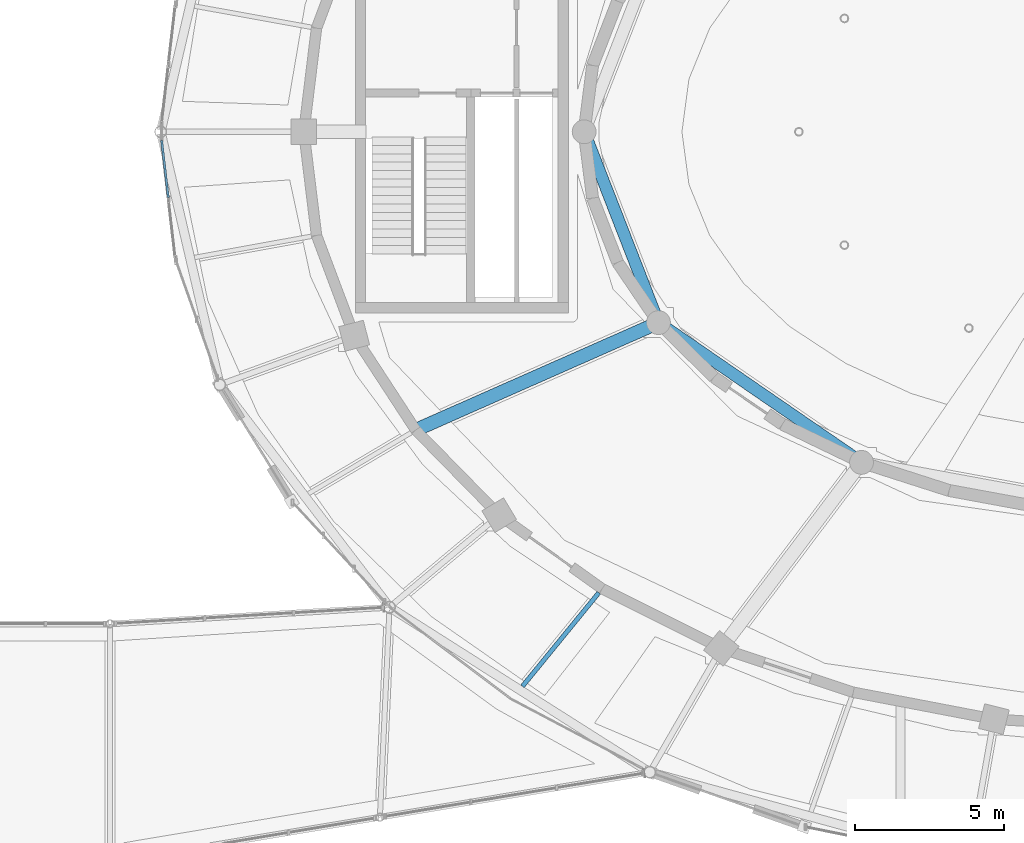
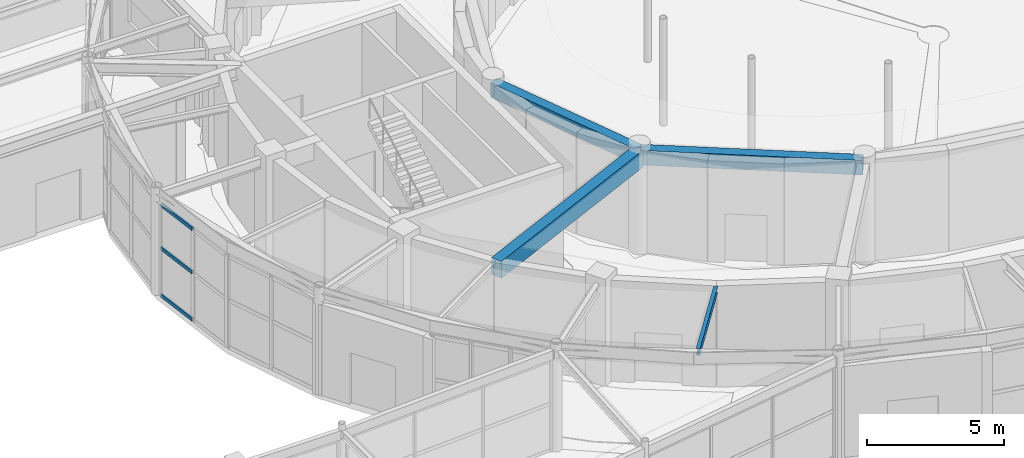
# One storey, part 31 of 108: 4 beams, 3 members, 1 element without a shape of its own.
"""IFC4 building model written with IfcOpenShell, lengths in metres."""

from ifc_helpers import new_model, si_unit, direction, frame, origin, origin_2d, place, context, subcontext, project, spatial, rectangle, hollow_rectangle, i_section, extrude, material, material_profile, profile_set, type_object, element, aggregate, save


model = new_model("IFC4")

# Units and contexts
model_context = context("Model", 3, precision=1e-05, world=origin(), true_north=direction((0.0, 1.0)))
body_context = subcontext(model_context, "Body", "Model", "MODEL_VIEW")
ifc_project = project(units=[si_unit("LENGTHUNIT", "METRE"), si_unit("AREAUNIT", "SQUARE_METRE"), si_unit("VOLUMEUNIT", "CUBIC_METRE"), si_unit("PLANEANGLEUNIT", "RADIAN"), si_unit("MASSUNIT", "GRAM", prefix="KILO")], contexts=[model_context])

# Site, building, storey
site_placement = place(None, origin())
site = spatial("IfcSite", under=ifc_project, at=site_placement, CompositionType="ELEMENT")
building_placement = place(site_placement, origin())
building = spatial("IfcBuilding", under=site, at=building_placement, Name="Tarnveldt Headland Concert Hall", CompositionType="ELEMENT")
storey_placement = place(building_placement, origin())
storey = spatial("IfcBuildingStorey", under=building, at=storey_placement, Name="L00", CompositionType="ELEMENT", Elevation=0.0)

# Beams
ifc_material_1 = material(Name="Concrete C40/50", Category="concrete")
ifc_material_profile_1 = material_profile(ifc_material_1, rectangle(XDim=0.39990234375, YDim=0.64990234375, at=origin_2d()), Name="RC 400x650", Category="concrete")
ifc_profile_set_1 = profile_set([ifc_material_profile_1], Name="Concrete C40/50")
beam_type_1 = type_object("IfcBeamType", Name="CB-400x650", PredefinedType="BEAM", material=ifc_profile_set_1)
beam_1_placement = place(storey_placement, frame((64.921875, 54.444091796875, 4.195068359375), z_axis=(0.362816377746, -0.931860652694, 0.0), x_axis=(0.931860652694, 0.362816377746, 0.0)))
element("IfcBeam", 1, at=beam_1_placement, inside=storey, type_object=beam_type_1, Name="Framing beam L00-413", PredefinedType="BEAM", context=body_context, shape_type="SweptSolid", body=[
    extrude(rectangle(XDim=0.39990234375, YDim=0.64990234375, at=origin_2d()), origin(), (0.0, 0.0, 1.0), 6.747802734375),
])
beam_2_placement = place(storey_placement, frame((67.44140625, 48.06591796875, 4.195068359375), z_axis=(0.823792567818, -0.566891352207, 0.0), x_axis=(0.566891352207, 0.823792567818, 0.0)))
element("IfcBeam", 2, at=beam_2_placement, inside=storey, type_object=beam_type_1, Name="Framing beam L00-415", PredefinedType="BEAM", context=body_context, shape_type="SweptSolid", body=[
    extrude(rectangle(XDim=0.39990234375, YDim=0.64990234375, at=origin_2d()), origin(), (0.0, 0.0, 1.0), 8.144287109375),
])
ifc_material_profile_2 = material_profile(ifc_material_1, rectangle(XDim=0.449951171875, YDim=0.75, at=origin_2d()), Name="RC 450x750", Category="concrete")
ifc_profile_set_2 = profile_set([ifc_material_profile_2], Name="Concrete C40/50")
beam_type_2 = type_object("IfcBeamType", Name="CB-450x750", PredefinedType="BEAM", material=ifc_profile_set_2)
beam_3_placement = place(storey_placement, frame((67.355224609375, 48.083740234375, 4.14501953125), z_axis=(-0.91456211397, -0.404445471839, 0.0), x_axis=(0.404445471839, -0.91456211397, 0.0)))
element("IfcBeam", 3, at=beam_3_placement, inside=storey, type_object=beam_type_2, Name="Framing beam L00-414", PredefinedType="BEAM", context=body_context, shape_type="SweptSolid", body=[
    extrude(rectangle(XDim=0.449951171875, YDim=0.75, at=origin_2d()), origin(), (0.0, 0.0, 1.0), 8.821044921875),
])
ifc_material_2 = material(Name="Steel S355", Category="steel")
ifc_material_profile_3 = material_profile(ifc_material_2, i_section(OverallWidth=0.14990234375, OverallDepth=0.300048828125, WebThickness=0.007080078125, FlangeThickness=0.0107421875, FilletRadius=0.014892578125, at=origin_2d()), Name="IPE300", Category="steel")
ifc_profile_set_3 = profile_set([ifc_material_profile_3], Name="Steel S355")
beam_type_3 = type_object("IfcBeamType", Name="SB-IPE300", PredefinedType="JOIST", material=ifc_profile_set_3)
beam_4_placement = place(storey_placement, frame((65.391357421875, 39.04345703125, 4.3701171875), z_axis=(-0.632291553532, -0.774730528205, 0.0), x_axis=(0.774730528205, -0.632291553532, 0.0)))
element("IfcBeam", 4, at=beam_4_placement, inside=storey, type_object=beam_type_3, Name="Framing beam L00-382", PredefinedType="JOIST", context=body_context, shape_type="SweptSolid", body=[
    extrude(i_section(OverallWidth=0.14990234375, OverallDepth=0.300048828125, WebThickness=0.007080078125, FlangeThickness=0.0107421875, FilletRadius=0.014892578125, at=origin_2d()), origin(), (0.0, 0.0, 1.0), 4.048583984375),
])

# Curtain wall, members
ifc_material_3 = material(Name="Marine-anodised aluminium EN AW-6063-T6", Category="aluminium")
curtain_wall_type = type_object("IfcCurtainWallType", Name="CW-F1", PredefinedType="NOTDEFINED", material=ifc_material_3)
curtain_wall_placement = place(storey_placement, origin())
curtain_wall = element("IfcCurtainWall", 5, at=curtain_wall_placement, inside=storey, type_object=curtain_wall_type, Name="Curtain wall CW-L00-015", PredefinedType="NOTDEFINED")
ifc_material_profile_4 = material_profile(ifc_material_3, hollow_rectangle(XDim=0.074951171875, YDim=0.159912109375, WallThickness=0.00390625, at=origin_2d()), Name="ALU TRANSOM 75x160x4", Category="aluminium")
ifc_profile_set_4 = profile_set([ifc_material_profile_4], Name="Marine-anodised aluminium EN AW-6063-T6")
member_type = type_object("IfcMemberType", Name="TR-160", PredefinedType="MEMBER", material=ifc_profile_set_4)
member_1_placement = place(storey_placement, frame((50.733642578125, 54.209228515625, 0.050048828125), z_axis=(0.114907814894, -0.993376159406, 0.0), x_axis=(0.993376159406, 0.114907814894, 0.0)))
member_1 = element("IfcMember", 6, at=member_1_placement, type_object=member_type, Name="Transom CW-L00-015-1-1", PredefinedType="MEMBER", context=body_context, shape_type="SweptSolid", body=[
    extrude(hollow_rectangle(XDim=0.074951171875, YDim=0.159912109375, WallThickness=0.00390625, at=origin_2d()), origin(), (0.0, 0.0, 1.0), 1.927001953125),
])
member_2_placement = place(storey_placement, frame((50.733642578125, 54.209228515625, 2.15283203125), z_axis=(0.114907814894, -0.993376159406, 0.0), x_axis=(0.993376159406, 0.114907814894, 0.0)))
member_2 = element("IfcMember", 7, at=member_2_placement, type_object=member_type, Name="Transom CW-L00-015-1-2", PredefinedType="MEMBER", context=body_context, shape_type="SweptSolid", body=[
    extrude(hollow_rectangle(XDim=0.074951171875, YDim=0.159912109375, WallThickness=0.00390625, at=origin_2d()), origin(), (0.0, 0.0, 1.0), 1.927001953125),
])
member_3_placement = place(storey_placement, frame((50.733642578125, 54.209228515625, 4.090087890625), z_axis=(0.114907814894, -0.993376159406, 0.0), x_axis=(0.993376159406, 0.114907814894, 0.0)))
member_3 = element("IfcMember", 8, at=member_3_placement, type_object=member_type, Name="Transom CW-L00-015-1-3", PredefinedType="MEMBER", context=body_context, shape_type="SweptSolid", body=[
    extrude(hollow_rectangle(XDim=0.074951171875, YDim=0.159912109375, WallThickness=0.00390625, at=origin_2d()), origin(), (0.0, 0.0, 1.0), 1.927001953125),
])
aggregate(curtain_wall, [member_1, member_2, member_3])

save(model, "model.ifc")
